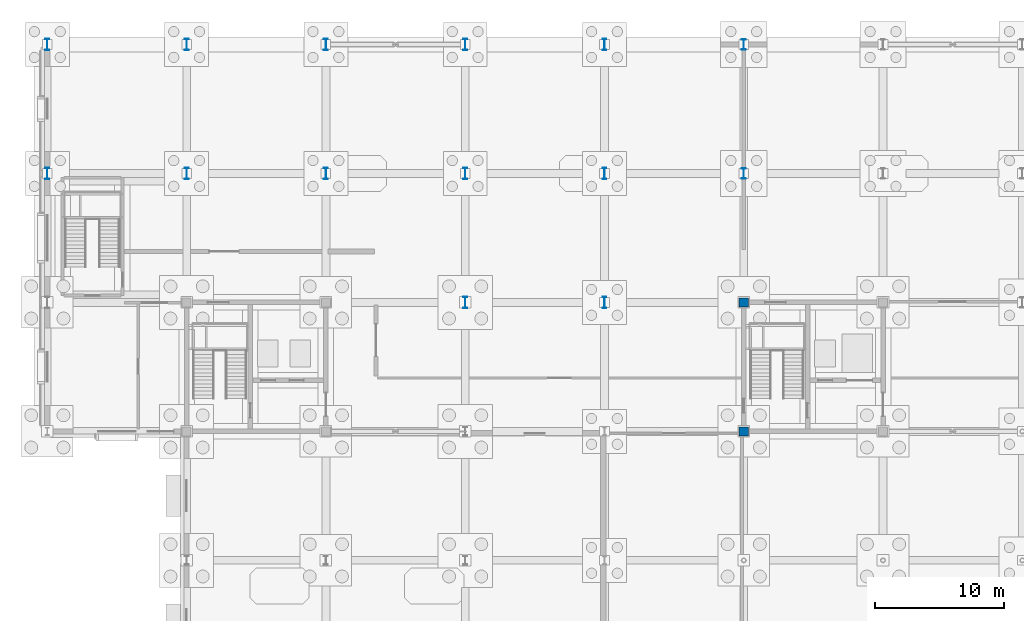
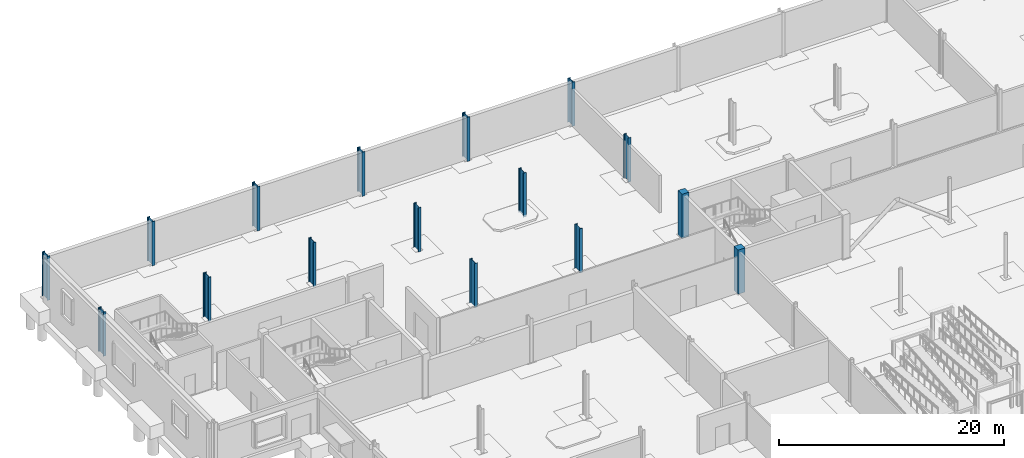
# One storey, part 17 of 73: 16 columns.
"""IFC4 building model written with IfcOpenShell, lengths in metres."""

from ifc_helpers import new_model, si_unit, direction, frame, origin, origin_2d, place, context, subcontext, project, spatial, rectangle, i_section, extrude, material, material_profile, profile_set, type_object, element, save


model = new_model("IFC4")

# Units and contexts
model_context = context("Model", 3, precision=1e-05, world=origin(), true_north=direction((0.0, 1.0)))
body_context = subcontext(model_context, "Body", "Model", "MODEL_VIEW")
ifc_project = project(units=[si_unit("LENGTHUNIT", "METRE"), si_unit("AREAUNIT", "SQUARE_METRE"), si_unit("VOLUMEUNIT", "CUBIC_METRE"), si_unit("PLANEANGLEUNIT", "RADIAN"), si_unit("MASSUNIT", "GRAM", prefix="KILO")], contexts=[model_context])

# Site, building, storey
site_placement = place(None, origin())
site = spatial("IfcSite", under=ifc_project, at=site_placement, CompositionType="ELEMENT")
building_placement = place(site_placement, origin())
building = spatial("IfcBuilding", under=site, at=building_placement, Name="Tasgan Crest Museum", CompositionType="ELEMENT")
storey_placement = place(building_placement, origin())
storey = spatial("IfcBuildingStorey", under=building, at=storey_placement, Name="L00", CompositionType="ELEMENT", Elevation=0.0)

# Columns
ifc_material_1 = material(Name="Steel S355K2", Category="steel")
ifc_material_profile_1 = material_profile(ifc_material_1, i_section(OverallWidth=0.300048828125, OverallDepth=0.7900390625, WebThickness=0.014892578125, FlangeThickness=0.028076171875, FilletRadius=0.030029296875, at=origin_2d()), Name="HEA 800")
ifc_profile_set_1 = profile_set([ifc_material_profile_1], Name="Steel S355K2")
column_type_1 = type_object("IfcColumnType", Name="COL-HEA800", PredefinedType="COLUMN", material=ifc_profile_set_1)
for number, where, z_axis, x_axis, name in (
    (1, (54.0, 102.0, 0.0), (0.0, 0.0, 1.0), (1.0, 0.0, 0.0), "Column 6/L L00"),
    (2, (54.0, 112.0, 0.0), (0.0, 0.0, 1.0), (1.0, 0.0, 0.0), "Column 6/M L00"),
):
    element("IfcColumn", number, at=place(storey_placement, frame(where, z_axis=z_axis, x_axis=x_axis)), inside=storey, type_object=column_type_1, Name=name, PredefinedType="COLUMN", context=body_context, shape_type="SweptSolid", body=[
        extrude(i_section(OverallWidth=0.300048828125, OverallDepth=0.7900390625, WebThickness=0.014892578125, FlangeThickness=0.028076171875, FilletRadius=0.030029296875, at=origin_2d()), origin(), (0.0, 0.0, 1.0), 4.800048828125),
    ])
ifc_material_2 = material(Name="Steel S355K2", Category="steel")
ifc_material_profile_2 = material_profile(ifc_material_2, i_section(OverallWidth=0.300048828125, OverallDepth=0.89990234375, WebThickness=0.0185546875, FlangeThickness=0.034912109375, FilletRadius=0.030029296875, at=origin_2d()), Name="HEB 900")
ifc_profile_set_2 = profile_set([ifc_material_profile_2], Name="Steel S355K2")
column_type_2 = type_object("IfcColumnType", Name="COL-HEB900", PredefinedType="COLUMN", material=ifc_profile_set_2)
for number, where, z_axis, x_axis, name in (
    (3, (0.0, 102.0, 0.0), (0.0, 0.0, 1.0), (1.0, 0.0, 0.0), "Column 1/L L00"),
    (4, (0.0, 112.0, 0.0), (0.0, 0.0, 1.0), (1.0, 0.0, 0.0), "Column 1/M L00"),
    (5, (10.800048828125, 102.0, 0.0), (0.0, 0.0, 1.0), (1.0, 0.0, 0.0), "Column 2/L L00"),
    (6, (10.800048828125, 112.0, 0.0), (0.0, 0.0, 1.0), (1.0, 0.0, 0.0), "Column 2/M L00"),
    (7, (21.60009765625, 102.0, 0.0), (0.0, 0.0, 1.0), (1.0, 0.0, 0.0), "Column 3/L L00"),
    (8, (21.60009765625, 112.0, 0.0), (0.0, 0.0, 1.0), (1.0, 0.0, 0.0), "Column 3/M L00"),
    (9, (32.39990234375, 92.0, 0.0), (0.0, 0.0, 1.0), (1.0, 0.0, 0.0), "Column 4/K L00"),
    (10, (32.39990234375, 102.0, 0.0), (0.0, 0.0, 1.0), (1.0, 0.0, 0.0), "Column 4/L L00"),
    (11, (32.39990234375, 112.0, 0.0), (0.0, 0.0, 1.0), (1.0, 0.0, 0.0), "Column 4/M L00"),
    (12, (43.199951171875, 92.0, 0.0), (0.0, 0.0, 1.0), (1.0, 0.0, 0.0), "Column 5/K L00"),
    (13, (43.199951171875, 102.0, 0.0), (0.0, 0.0, 1.0), (1.0, 0.0, 0.0), "Column 5/L L00"),
    (14, (43.199951171875, 112.0, 0.0), (0.0, 0.0, 1.0), (1.0, 0.0, 0.0), "Column 5/M L00"),
):
    element("IfcColumn", number, at=place(storey_placement, frame(where, z_axis=z_axis, x_axis=x_axis)), inside=storey, type_object=column_type_2, Name=name, PredefinedType="COLUMN", context=body_context, shape_type="SweptSolid", body=[
        extrude(i_section(OverallWidth=0.300048828125, OverallDepth=0.89990234375, WebThickness=0.0185546875, FlangeThickness=0.034912109375, FilletRadius=0.030029296875, at=origin_2d()), origin(), (0.0, 0.0, 1.0), 4.800048828125),
    ])
ifc_material_3 = material(Name="Concrete C40/50", Category="concrete")
ifc_material_profile_3 = material_profile(ifc_material_3, rectangle(XDim=0.699951171875, YDim=0.699951171875, at=origin_2d()), Name="RC 700x700")
ifc_profile_set_3 = profile_set([ifc_material_profile_3], Name="Concrete C40/50")
column_type_3 = type_object("IfcColumnType", Name="COL-RC700", PredefinedType="COLUMN", material=ifc_profile_set_3)
for number, where, z_axis, x_axis, name in (
    (15, (54.0, 82.0, 0.0), (0.0, 0.0, 1.0), (1.0, 0.0, 0.0), "Column 6/J L00"),
    (16, (54.0, 92.0, 0.0), (0.0, 0.0, 1.0), (1.0, 0.0, 0.0), "Column 6/K L00"),
):
    element("IfcColumn", number, at=place(storey_placement, frame(where, z_axis=z_axis, x_axis=x_axis)), inside=storey, type_object=column_type_3, Name=name, PredefinedType="COLUMN", context=body_context, shape_type="SweptSolid", body=[
        extrude(rectangle(XDim=0.699951171875, YDim=0.699951171875, at=origin_2d()), origin(), (0.0, 0.0, 1.0), 4.800048828125),
    ])

save(model, "model.ifc")
